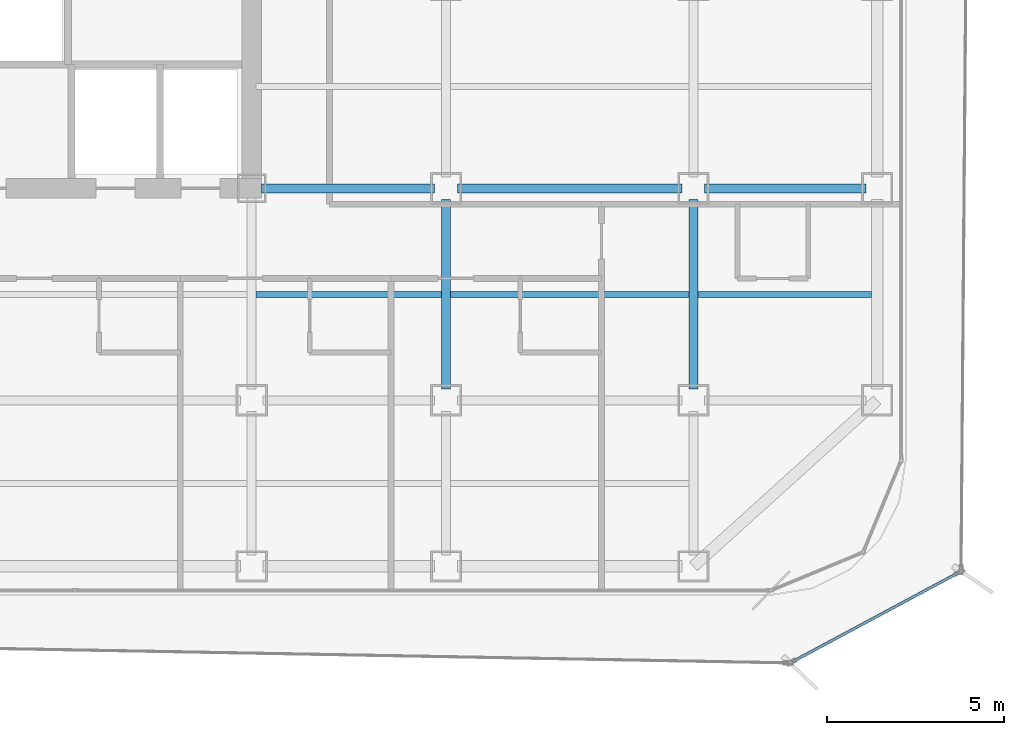
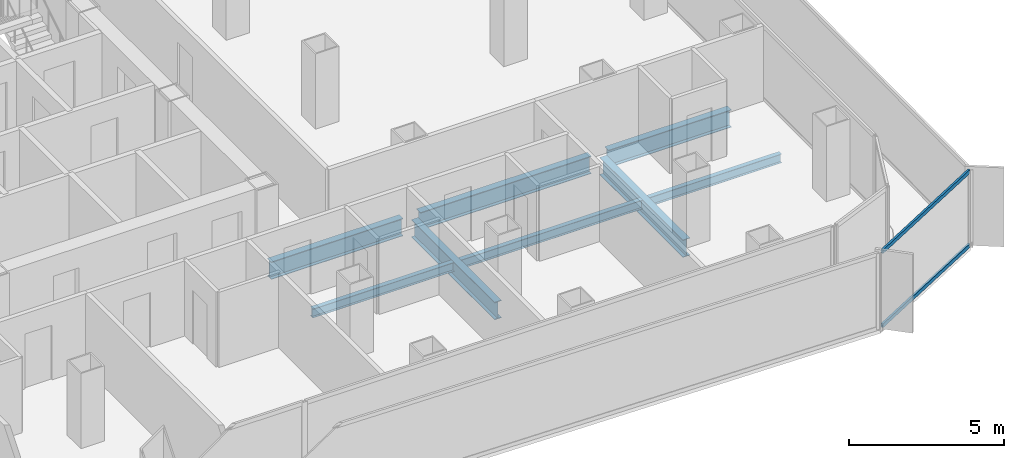
# One storey, part 7 of 21: 8 beams, 2 members, 1 element without a shape of its own.
"""IFC4 building model written with IfcOpenShell, lengths in metres."""

from ifc_helpers import new_model, si_unit, direction, frame, origin, origin_2d, place, context, subcontext, project, spatial, hollow_rectangle, i_section, extrude, source, transform, mapped, material, layer, layer_set, material_profile, profile_set, type_object, element, aggregate, save


model = new_model("IFC4")

# Units and contexts
model_context = context("Model", 3, precision=1e-05, world=origin(), true_north=direction((0.0, 1.0)))
body_context = subcontext(model_context, "Body", "Model", "MODEL_VIEW")
ifc_project = project(units=[si_unit("LENGTHUNIT", "METRE"), si_unit("AREAUNIT", "SQUARE_METRE"), si_unit("VOLUMEUNIT", "CUBIC_METRE"), si_unit("PLANEANGLEUNIT", "RADIAN"), si_unit("MASSUNIT", "GRAM", prefix="KILO")], contexts=[model_context])

# Site, building, storey
site_placement = place(None, origin())
site = spatial("IfcSite", under=ifc_project, at=site_placement, CompositionType="ELEMENT")
building_placement = place(site_placement, origin())
building = spatial("IfcBuilding", under=site, at=building_placement, Name="Kolveth Station Tower", CompositionType="ELEMENT")
storey_placement = place(building_placement, frame((0.0, 0.0, 111.89990234375)))
storey = spatial("IfcBuildingStorey", under=building, at=storey_placement, Name="L30", CompositionType="ELEMENT", Elevation=111.89990234375)

# Beams
ifc_material_1 = material(Name="Steel S355", Category="steel")
ifc_material_profile_1 = material_profile(ifc_material_1, i_section(OverallWidth=0.25390625, OverallDepth=0.68798828125, WebThickness=0.01318359375, FlangeThickness=0.02099609375, at=origin_2d()), Name="W690x152")
ifc_profile_set_1 = profile_set([ifc_material_profile_1], Name="Steel S355")
beam_type_1 = type_object("IfcBeamType", Name="Beam_B4", PredefinedType="BEAM", material=ifc_profile_set_1)
shared_shape_1 = source(origin(), body_context, "Body", "SweptSolid", [
    extrude(i_section(OverallWidth=0.25390625, OverallDepth=0.68798828125, WebThickness=0.01318359375, FlangeThickness=0.02099609375, at=origin_2d()), origin(), (0.0, 0.0, 1.0), 4.559814453125),
])
beam_1_placement = place(storey_placement, frame((41.320068359375, 11.5, -0.593994140625), z_axis=(1.0, 0.0, 0.0), x_axis=(0.0, 1.0, 0.0)))
element("IfcBeam", 1, at=beam_1_placement, inside=storey, type_object=beam_type_1, Name="L30 Primary Girder BM-L30-GY115-7", PredefinedType="BEAM", context=body_context, shape_type="MappedRepresentation", body=[
    mapped(shared_shape_1, transform((0.0, 0.0, 0.0), x_axis=(1.0, 0.0, 0.0), y_axis=(0.0, 1.0, 0.0), z_axis=(0.0, 0.0, 1.0), scale=1.0)),
])
shared_shape_2 = source(origin(), body_context, "Body", "SweptSolid", [
    extrude(i_section(OverallWidth=0.25390625, OverallDepth=0.68798828125, WebThickness=0.01318359375, FlangeThickness=0.02099609375, at=origin_2d()), origin(), (0.0, 0.0, 1.0), 6.35986328125),
])
beam_2_placement = place(storey_placement, frame((34.320068359375, 11.5, -0.593994140625), z_axis=(1.0, 0.0, 0.0), x_axis=(0.0, 1.0, 0.0)))
element("IfcBeam", 2, at=beam_2_placement, inside=storey, type_object=beam_type_1, Name="L30 Primary Girder BM-L30-GY115-6", PredefinedType="BEAM", context=body_context, shape_type="MappedRepresentation", body=[
    mapped(shared_shape_2, transform((0.0, 0.0, 0.0), x_axis=(1.0, 0.0, 0.0), y_axis=(0.0, 1.0, 0.0), z_axis=(0.0, 0.0, 1.0), scale=1.0)),
])
shared_shape_3 = source(origin(), body_context, "Body", "SweptSolid", [
    extrude(i_section(OverallWidth=0.25390625, OverallDepth=0.68798828125, WebThickness=0.01318359375, FlangeThickness=0.02099609375, at=origin_2d()), origin(), (0.0, 0.0, 1.0), 4.89990234375),
])
beam_3_placement = place(storey_placement, frame((28.780029296875, 11.5, -0.593994140625), z_axis=(1.0, 0.0, 0.0), x_axis=(0.0, 1.0, 0.0)))
element("IfcBeam", 3, at=beam_3_placement, inside=storey, type_object=beam_type_1, Name="L30 Primary Girder BM-L30-GY115-5", PredefinedType="BEAM", context=body_context, shape_type="MappedRepresentation", body=[
    mapped(shared_shape_3, transform((0.0, 0.0, 0.0), x_axis=(1.0, 0.0, 0.0), y_axis=(0.0, 1.0, 0.0), z_axis=(0.0, 0.0, 1.0), scale=1.0)),
])
shared_shape_4 = source(origin(), body_context, "Body", "SweptSolid", [
    extrude(i_section(OverallWidth=0.25390625, OverallDepth=0.68798828125, WebThickness=0.01318359375, FlangeThickness=0.02099609375, at=origin_2d()), origin(), (0.0, 0.0, 1.0), 5.35986328125),
])
for number, where, z_axis, x_axis, name in (
    (4, (34.0, 5.820068359375, -0.593994140625), (0.0, 1.0, 0.0), (-1.0, 0.0, 0.0), "L30 Primary Girder BM-L30-GX340-2"),
    (5, (41.0, 5.820068359375, -0.593994140625), (0.0, 1.0, 0.0), (-1.0, 0.0, 0.0), "L30 Primary Girder BM-L30-GX410-2"),
):
    element("IfcBeam", number, at=place(storey_placement, frame(where, z_axis=z_axis, x_axis=x_axis)), inside=storey, type_object=beam_type_1, Name=name, PredefinedType="BEAM", context=body_context, shape_type="MappedRepresentation", body=[
        mapped(shared_shape_4, transform((0.0, 0.0, 0.0), x_axis=(1.0, 0.0, 0.0), y_axis=(0.0, 1.0, 0.0), z_axis=(0.0, 0.0, 1.0), scale=1.0)),
    ])
ifc_material_profile_2 = material_profile(ifc_material_1, i_section(OverallWidth=0.1708984375, OverallDepth=0.35205078125, WebThickness=0.0068359375, FlangeThickness=0.009765625, at=origin_2d()), Name="W360x44")
ifc_profile_set_2 = profile_set([ifc_material_profile_2], Name="Steel S355")
beam_type_2 = type_object("IfcBeamType", Name="Beam_J2", PredefinedType="JOIST", material=ifc_profile_set_2)
shared_shape_5 = source(origin(), body_context, "Body", "SweptSolid", [
    extrude(i_section(OverallWidth=0.1708984375, OverallDepth=0.35205078125, WebThickness=0.0068359375, FlangeThickness=0.009765625, at=origin_2d()), origin(), (0.0, 0.0, 1.0), 4.9150390625),
])
beam_4_placement = place(storey_placement, frame((41.125, 8.5, -0.42578125), z_axis=(1.0, 0.0, 0.0), x_axis=(0.0, 1.0, 0.0)))
element("IfcBeam", 6, at=beam_4_placement, inside=storey, type_object=beam_type_2, Name="L30 Secondary Joist JST-L30-7-2", PredefinedType="JOIST", context=body_context, shape_type="MappedRepresentation", body=[
    mapped(shared_shape_5, transform((0.0, 0.0, 0.0), x_axis=(1.0, 0.0, 0.0), y_axis=(0.0, 1.0, 0.0), z_axis=(0.0, 0.0, 1.0), scale=1.0)),
])
shared_shape_6 = source(origin(), body_context, "Body", "SweptSolid", [
    extrude(i_section(OverallWidth=0.1708984375, OverallDepth=0.35205078125, WebThickness=0.0068359375, FlangeThickness=0.009765625, at=origin_2d()), origin(), (0.0, 0.0, 1.0), 6.75),
])
beam_5_placement = place(storey_placement, frame((34.125, 8.5, -0.42578125), z_axis=(1.0, 0.0, 0.0), x_axis=(0.0, 1.0, 0.0)))
element("IfcBeam", 7, at=beam_5_placement, inside=storey, type_object=beam_type_2, Name="L30 Secondary Joist JST-L30-6-2", PredefinedType="JOIST", context=body_context, shape_type="MappedRepresentation", body=[
    mapped(shared_shape_6, transform((0.0, 0.0, 0.0), x_axis=(1.0, 0.0, 0.0), y_axis=(0.0, 1.0, 0.0), z_axis=(0.0, 0.0, 1.0), scale=1.0)),
])
shared_shape_7 = source(origin(), body_context, "Body", "SweptSolid", [
    extrude(i_section(OverallWidth=0.1708984375, OverallDepth=0.35205078125, WebThickness=0.0068359375, FlangeThickness=0.009765625, at=origin_2d()), origin(), (0.0, 0.0, 1.0), 5.25),
])
beam_6_placement = place(storey_placement, frame((28.625, 8.5, -0.42578125), z_axis=(1.0, 0.0, 0.0), x_axis=(0.0, 1.0, 0.0)))
element("IfcBeam", 8, at=beam_6_placement, inside=storey, type_object=beam_type_2, Name="L30 Secondary Joist JST-L30-5-2", PredefinedType="JOIST", context=body_context, shape_type="MappedRepresentation", body=[
    mapped(shared_shape_7, transform((0.0, 0.0, 0.0), x_axis=(1.0, 0.0, 0.0), y_axis=(0.0, 1.0, 0.0), z_axis=(0.0, 0.0, 1.0), scale=1.0)),
])

# Curtain wall, members
ifc_material_2 = material(Name="Black anodized aluminium 6063-T6 and dark solar glass", Category="aluminium")
ifc_layer = layer(ifc_material_2, 0.159912109375)
ifc_layer_set = layer_set([ifc_layer], Name="Black anodized aluminium 6063-T6 and dark solar glass")
curtain_wall_type = type_object("IfcCurtainWallType", Name="OUTER SKIN CW-OS", PredefinedType="NOTDEFINED", material=ifc_layer_set)
curtain_wall_placement = place(storey_placement, origin())
curtain_wall = element("IfcCurtainWall", 9, at=curtain_wall_placement, inside=storey, type_object=curtain_wall_type, Name="L30 Outer Ventilated Skin Curtain Wall 1", PredefinedType="NOTDEFINED")
ifc_material_3 = material(Name="Black anodized aluminium 6063-T6", Category="aluminium")
ifc_material_profile_3 = material_profile(ifc_material_3, hollow_rectangle(XDim=0.080078125, YDim=0.14990234375, WallThickness=0.0048828125, at=origin_2d()), Name="ALU-80x150x5")
ifc_profile_set_3 = profile_set([ifc_material_profile_3], Name="Black anodized aluminium 6063-T6")
member_type = type_object("IfcMemberType", Name="Transom_TR-OS", PredefinedType="USERDEFINED", material=ifc_profile_set_3)
shared_shape_8 = source(origin(), body_context, "Body", "SweptSolid", [
    extrude(hollow_rectangle(XDim=0.080078125, YDim=0.14990234375, WallThickness=0.0048828125, at=origin_2d()), origin(), (0.0, 0.0, 1.0), 5.3115234375),
])
member_1_placement = place(storey_placement, frame((43.81640625, -1.893798828125, 0.0400390625), z_axis=(0.881371298945, 0.472424209155, 0.0), x_axis=(-0.472424209155, 0.881371298945, 0.0)))
member_1 = element("IfcMember", 10, at=member_1_placement, type_object=member_type, Name="CW-OS transom 1.1", ObjectType="TRANSOM", PredefinedType="USERDEFINED", context=body_context, shape_type="MappedRepresentation", body=[
    mapped(shared_shape_8, transform((0.0, 0.0, 0.0), x_axis=(1.0, 0.0, 0.0), y_axis=(0.0, 1.0, 0.0), z_axis=(0.0, 0.0, 1.0), scale=1.0)),
])
member_2_placement = place(storey_placement, frame((43.81640625, -1.893798828125, 2.9501953125), z_axis=(0.881371298945, 0.472424209155, 0.0), x_axis=(-0.472424209155, 0.881371298945, 0.0)))
member_2 = element("IfcMember", 11, at=member_2_placement, type_object=member_type, Name="CW-OS transom 1.2", ObjectType="TRANSOM", PredefinedType="USERDEFINED", context=body_context, shape_type="MappedRepresentation", body=[
    mapped(shared_shape_8, transform((0.0, 0.0, 0.0), x_axis=(1.0, 0.0, 0.0), y_axis=(0.0, 1.0, 0.0), z_axis=(0.0, 0.0, 1.0), scale=1.0)),
])
aggregate(curtain_wall, [member_1, member_2])

save(model, "model.ifc")
